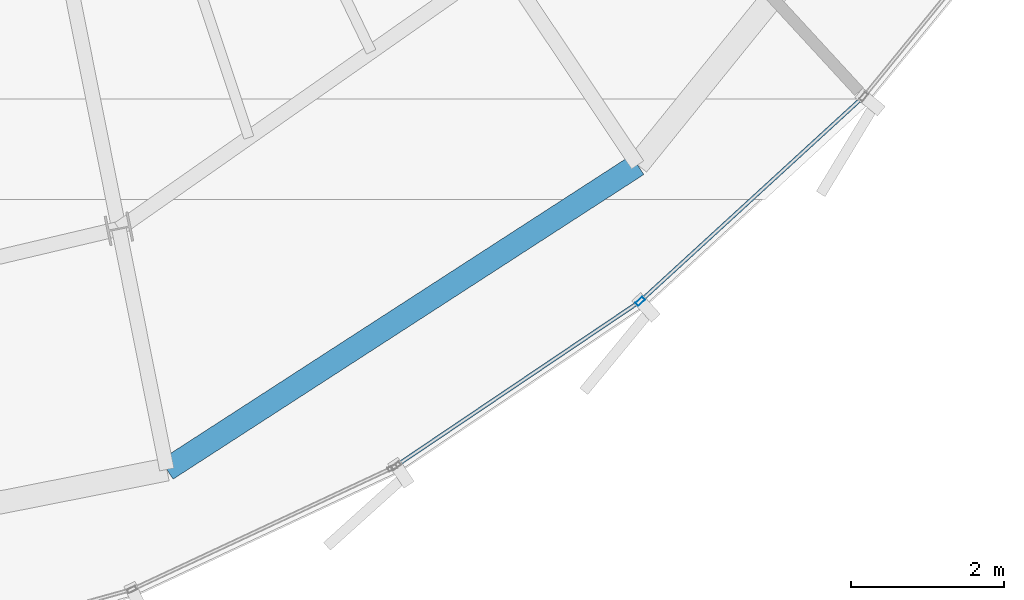
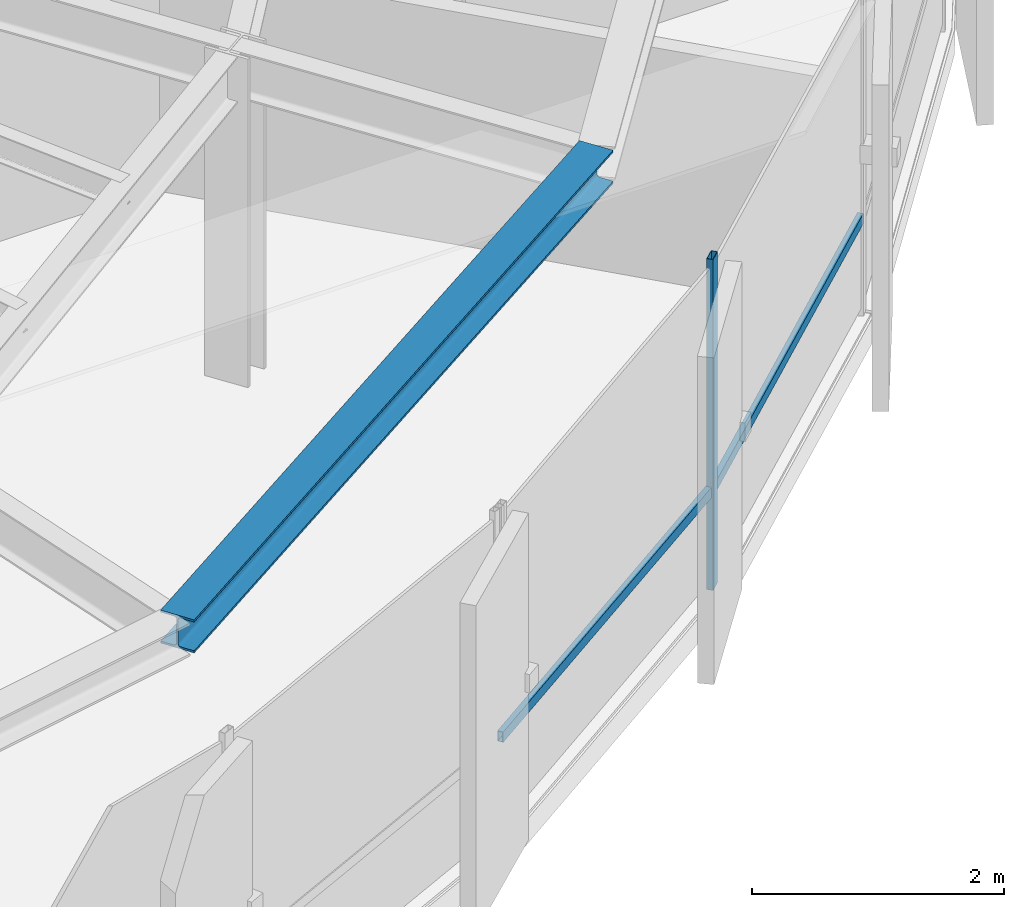
# One storey, part 7 of 33: 3 members, 1 beam, 1 element without a shape of its own.
"""IFC4 building model written with IfcOpenShell, lengths in metres."""

from ifc_helpers import new_model, si_unit, direction, frame, origin, origin_2d, place, context, subcontext, project, spatial, hollow_rectangle, i_section, extrude, source, transform, mapped, material, layer, layer_set, material_profile, profile_set, type_object, element, aggregate, save


model = new_model("IFC4")

# Units and contexts
model_context = context("Model", 3, precision=1e-05, world=origin(), true_north=direction((0.0, 1.0)))
body_context = subcontext(model_context, "Body", "Model", "MODEL_VIEW")
ifc_project = project(units=[si_unit("LENGTHUNIT", "METRE"), si_unit("AREAUNIT", "SQUARE_METRE"), si_unit("VOLUMEUNIT", "CUBIC_METRE"), si_unit("PLANEANGLEUNIT", "RADIAN"), si_unit("MASSUNIT", "GRAM", prefix="KILO"), si_unit("THERMODYNAMICTEMPERATUREUNIT", "KELVIN")], contexts=[model_context])

# Site, building, storey
site_placement = place(None, origin())
site = spatial("IfcSite", under=ifc_project, at=site_placement, CompositionType="ELEMENT")
building_placement = place(site_placement, origin())
building = spatial("IfcBuilding", under=site, at=building_placement, Name="Kethvar Cultural Tower", CompositionType="ELEMENT")
storey_placement = place(building_placement, frame((0.0, 0.0, 256.0)))
storey = spatial("IfcBuildingStorey", under=building, at=storey_placement, Name="L67", CompositionType="ELEMENT", Elevation=256.0)

# Beam
ifc_material_1 = material(Name="Steel S355J2", Category="steel")
ifc_material_profile_1 = material_profile(ifc_material_1, i_section(OverallWidth=0.300048828125, OverallDepth=0.320068359375, WebThickness=0.011474609375, FlangeThickness=0.0205078125, FilletRadius=0.027099609375, at=origin_2d()), Name="Steel S355J2 — HEB320")
ifc_profile_set_1 = profile_set([ifc_material_profile_1], Name="Steel S355J2 — HEB320")
beam_type = type_object("IfcBeamType", Name="BM-SP320", PredefinedType="SPANDREL", material=ifc_profile_set_1)
shared_shape_1 = source(origin(), body_context, "Body", "SweptSolid", [
    extrude(i_section(OverallWidth=0.300048828125, OverallDepth=0.320068359375, WebThickness=0.011474609375, FlangeThickness=0.0205078125, FilletRadius=0.027099609375, at=origin_2d()), origin(), (0.0, 0.0, 1.0), 7.309326171875),
])
beam_placement = place(storey_placement, frame((50.52587890625, 9.068359375, 3.048095703125), z_axis=(0.839562091992, 0.543263742292, 0.0), x_axis=(-0.543263742292, 0.839562091992, 0.0)))
element("IfcBeam", 1, at=beam_placement, inside=storey, type_object=beam_type, Name="L67 Perimeter Spandrel Beam SP-13", PredefinedType="SPANDREL", context=body_context, shape_type="MappedRepresentation", body=[
    mapped(shared_shape_1, transform((0.0, 0.0, 0.0), scale=1.0)),
])

# Curtain wall, members
ifc_material_2 = material(Name="Aluminium 6063-T6", Category="aluminium")
ifc_layer = layer(ifc_material_2, 0.179931640625, Name="Aluminium 6063-T6", Category="aluminium")
ifc_layer_set = layer_set([ifc_layer], Name="Aluminium 6063-T6 (180 mm)")
curtain_wall_type = type_object("IfcCurtainWallType", Name="CW-SYS-05-Z56", PredefinedType="NOTDEFINED", material=ifc_layer_set)
curtain_wall_placement = place(storey_placement, origin())
curtain_wall = element("IfcCurtainWall", 2, at=curtain_wall_placement, inside=storey, type_object=curtain_wall_type, Name="L67 Curtain Wall Run 05", PredefinedType="NOTDEFINED")
ifc_material_profile_2 = material_profile(ifc_material_2, hollow_rectangle(XDim=0.054931640625, YDim=0.1201171875, WallThickness=0.00390625, at=origin_2d()), Name="Aluminium 6063-T6 — RHS120x55x4")
ifc_profile_set_2 = profile_set([ifc_material_profile_2], Name="Aluminium 6063-T6 — RHS120x55x4")
member_type_1 = type_object("IfcMemberType", Name="CW-SYS-05-Z56-MUL", PredefinedType="MULLION", material=ifc_profile_set_2)
shared_shape_2 = source(origin(), body_context, "Body", "SweptSolid", [
    extrude(hollow_rectangle(XDim=0.054931640625, YDim=0.1201171875, WallThickness=0.00390625, at=origin_2d()), origin(), (0.0, 0.0, 1.0), 3.2099609375),
])
member_1_placement = place(storey_placement, frame((56.697998046875, 11.26123046875, 0.0), z_axis=(0.0, 0.0, 1.0), x_axis=(-0.675718876495, 0.737159412846, 0.0)))
member_1 = element("IfcMember", 3, at=member_1_placement, type_object=member_type_1, Name="CW-L67-R05 Mullion 2", PredefinedType="MULLION", context=body_context, shape_type="MappedRepresentation", body=[
    mapped(shared_shape_2, transform((0.0, 0.0, 0.0), scale=1.0)),
])
ifc_material_profile_3 = material_profile(ifc_material_2, hollow_rectangle(XDim=0.050048828125, YDim=0.10009765625, WallThickness=0.00390625, at=origin_2d()), Name="Aluminium 6063-T6 — RHS100x50x4")
ifc_profile_set_3 = profile_set([ifc_material_profile_3], Name="Aluminium 6063-T6 — RHS100x50x4")
member_type_2 = type_object("IfcMemberType", Name="CW-SYS-05-Z56-TRN", PredefinedType="USERDEFINED", material=ifc_profile_set_3)
shared_shape_3 = source(origin(), body_context, "Body", "SweptSolid", [
    extrude(hollow_rectangle(XDim=0.050048828125, YDim=0.10009765625, WallThickness=0.00390625, at=origin_2d()), origin(), (0.0, 0.0, 1.0), 3.80810546875),
])
member_2_placement = place(storey_placement, frame((53.51904296875, 9.1201171875, 0.949951171875), z_axis=(0.829268365275, 0.558850586788, 0.0), x_axis=(-0.558850586788, 0.829268365275, 0.0)))
member_2 = element("IfcMember", 4, at=member_2_placement, type_object=member_type_2, Name="CW-L67-R05 Transom 1", ObjectType="TRANSOM", PredefinedType="USERDEFINED", context=body_context, shape_type="MappedRepresentation", body=[
    mapped(shared_shape_3, transform((0.0, 0.0, 0.0), scale=1.0)),
])
shared_shape_4 = source(origin(), body_context, "Body", "SweptSolid", [
    extrude(hollow_rectangle(XDim=0.050048828125, YDim=0.10009765625, WallThickness=0.00390625, at=origin_2d()), origin(), (0.0, 0.0, 1.0), 3.8828125),
])
member_3_placement = place(storey_placement, frame((56.727294921875, 11.2880859375, 0.949951171875), z_axis=(0.737154140201, 0.675724628517, 0.0), x_axis=(-0.675724628517, 0.737154140201, 0.0)))
member_3 = element("IfcMember", 5, at=member_3_placement, type_object=member_type_2, Name="CW-L67-R05 Transom 2", ObjectType="TRANSOM", PredefinedType="USERDEFINED", context=body_context, shape_type="MappedRepresentation", body=[
    mapped(shared_shape_4, transform((0.0, 0.0, 0.0), scale=1.0)),
])
aggregate(curtain_wall, [member_1, member_2, member_3])

save(model, "model.ifc")
